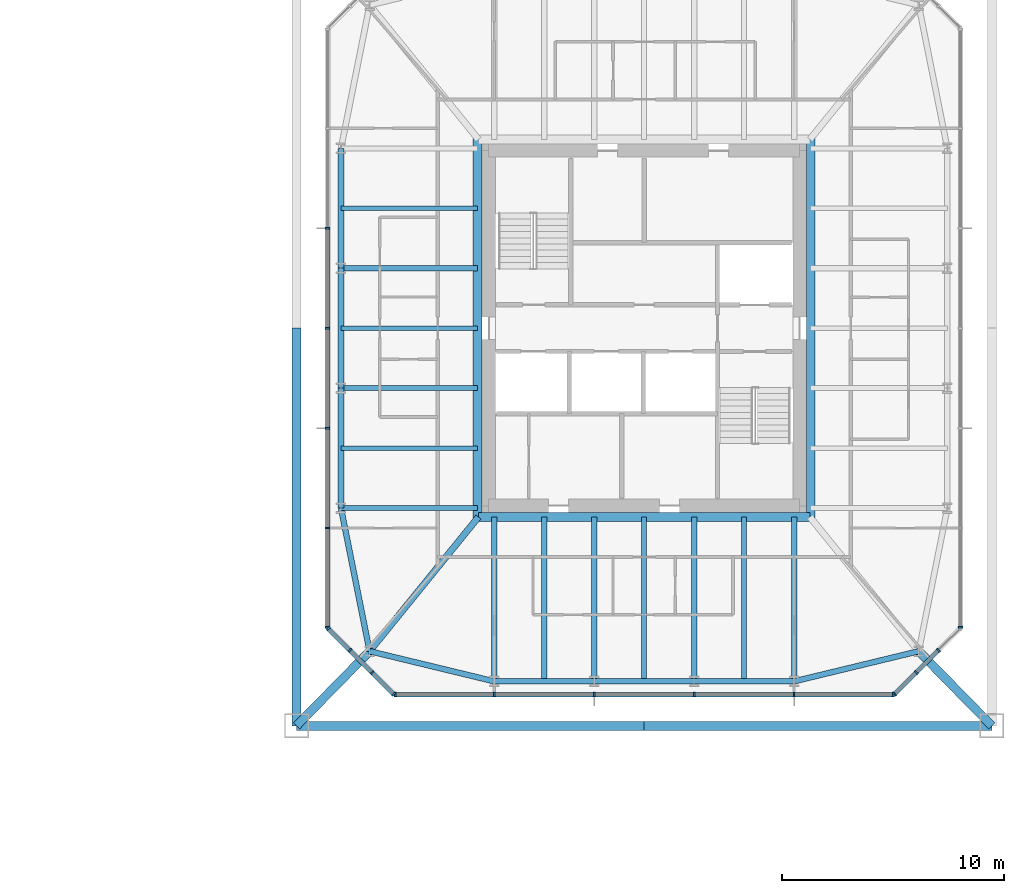
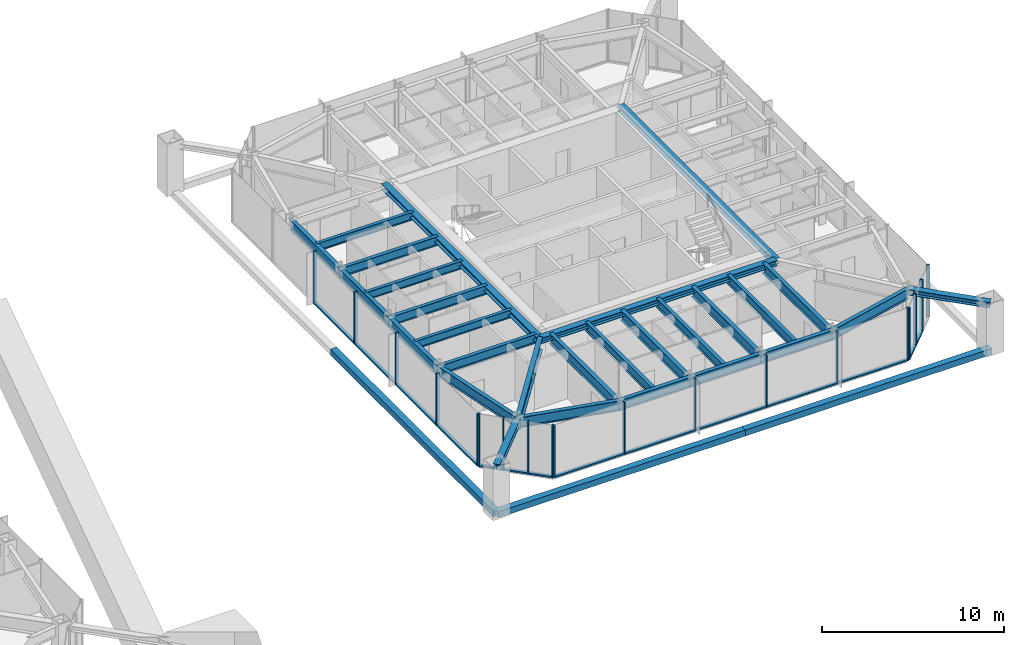
# One storey, part 9 of 26: 38 members, 26 beams, 5 elements without a shape of their own.
"""IFC4 building model written with IfcOpenShell, lengths in metres."""

from ifc_helpers import new_model, si_unit, direction, frame, origin, origin_2d, place, context, subcontext, project, spatial, rectangle, hollow_rectangle, i_section, extrude, material, material_profile, profile_set, type_object, element, aggregate, save


model = new_model("IFC4")

# Units and contexts
model_context = context("Model", 3, precision=1e-05, world=origin(), true_north=direction((0.0, 1.0)))
body_context = subcontext(model_context, "Body", "Model", "MODEL_VIEW")
ifc_project = project(units=[si_unit("LENGTHUNIT", "METRE"), si_unit("AREAUNIT", "SQUARE_METRE"), si_unit("VOLUMEUNIT", "CUBIC_METRE"), si_unit("PLANEANGLEUNIT", "RADIAN"), si_unit("MASSUNIT", "GRAM", prefix="KILO")], contexts=[model_context])

# Site, building, storey
site_placement = place(None, origin())
site = spatial("IfcSite", under=ifc_project, at=site_placement, CompositionType="ELEMENT")
building_placement = place(site_placement, origin())
building = spatial("IfcBuilding", under=site, at=building_placement, Name="Iwan Alto Co-Living Towers", CompositionType="ELEMENT")
storey_placement = place(building_placement, frame((0.0, 0.0, 115.5)))
storey = spatial("IfcBuildingStorey", under=building, at=storey_placement, Name="L31", CompositionType="ELEMENT", Elevation=115.5)

# Curtain wall, members
ifc_material_1 = material(Name="Bronze aluminium unitised frame", Category="aluminium")
curtain_wall_type_1 = type_object("IfcCurtainWallType", Name="CURTAIN WALL CW-C", PredefinedType="NOTDEFINED", material=ifc_material_1)
curtain_wall_1_placement = place(storey_placement, origin())
curtain_wall_1 = element("IfcCurtainWall", 1, at=curtain_wall_1_placement, inside=storey, type_object=curtain_wall_type_1, Name="T2 curtain wall S L31", PredefinedType="NOTDEFINED")
ifc_material_2 = material(Name="Aluminium 6063-T6 bronze anodised", Category="aluminium")
ifc_material_profile_1 = material_profile(ifc_material_2, rectangle(XDim=0.199951171875, YDim=0.080078125, at=origin_2d()), Name="AL 80X200")
ifc_profile_set_1 = profile_set([ifc_material_profile_1], Name="Aluminium 6063-T6 bronze anodised")
member_type_1 = type_object("IfcMemberType", Name="CW-C MULLION 80X200", PredefinedType="MULLION", material=ifc_profile_set_1)
member_1_placement = place(storey_placement, frame((51.7900390625, -16.5, 0.0), z_axis=(0.0, 0.0, 1.0), x_axis=(0.0, 1.0, 0.0)))
member_1 = element("IfcMember", 2, at=member_1_placement, type_object=member_type_1, Name="CW-C mullion 1", PredefinedType="MULLION", context=body_context, shape_type="SweptSolid", body=[
    extrude(rectangle(XDim=0.199951171875, YDim=0.080078125, at=origin_2d()), origin(), (0.0, 0.0, 1.0), 3.5),
])
member_2_placement = place(storey_placement, frame((56.25, -16.5, 0.0), z_axis=(0.0, 0.0, 1.0), x_axis=(0.0, 1.0, 0.0)))
member_2 = element("IfcMember", 3, at=member_2_placement, type_object=member_type_1, Name="CW-C mullion 2", PredefinedType="MULLION", context=body_context, shape_type="SweptSolid", body=[
    extrude(rectangle(XDim=0.199951171875, YDim=0.080078125, at=origin_2d()), origin(), (0.0, 0.0, 1.0), 3.5),
])
member_3_placement = place(storey_placement, frame((60.75, -16.5, 0.0), z_axis=(0.0, 0.0, 1.0), x_axis=(0.0, 1.0, 0.0)))
member_3 = element("IfcMember", 4, at=member_3_placement, type_object=member_type_1, Name="CW-C mullion 3", PredefinedType="MULLION", context=body_context, shape_type="SweptSolid", body=[
    extrude(rectangle(XDim=0.199951171875, YDim=0.080078125, at=origin_2d()), origin(), (0.0, 0.0, 1.0), 3.5),
])
member_4_placement = place(storey_placement, frame((65.25, -16.5, 0.0), z_axis=(0.0, 0.0, 1.0), x_axis=(0.0, 1.0, 0.0)))
member_4 = element("IfcMember", 5, at=member_4_placement, type_object=member_type_1, Name="CW-C mullion 4", PredefinedType="MULLION", context=body_context, shape_type="SweptSolid", body=[
    extrude(rectangle(XDim=0.199951171875, YDim=0.080078125, at=origin_2d()), origin(), (0.0, 0.0, 1.0), 3.5),
])
member_5_placement = place(storey_placement, frame((69.75, -16.5, 0.0), z_axis=(0.0, 0.0, 1.0), x_axis=(0.0, 1.0, 0.0)))
member_5 = element("IfcMember", 6, at=member_5_placement, type_object=member_type_1, Name="CW-C mullion 5", PredefinedType="MULLION", context=body_context, shape_type="SweptSolid", body=[
    extrude(rectangle(XDim=0.199951171875, YDim=0.080078125, at=origin_2d()), origin(), (0.0, 0.0, 1.0), 3.5),
])
member_6_placement = place(storey_placement, frame((74.2099609375, -16.5, 0.0), z_axis=(0.0, 0.0, 1.0), x_axis=(0.0, 1.0, 0.0)))
member_6 = element("IfcMember", 7, at=member_6_placement, type_object=member_type_1, Name="CW-C mullion 6", PredefinedType="MULLION", context=body_context, shape_type="SweptSolid", body=[
    extrude(rectangle(XDim=0.199951171875, YDim=0.080078125, at=origin_2d()), origin(), (0.0, 0.0, 1.0), 3.5),
])

# Curtain wall, member
curtain_wall_2_placement = place(storey_placement, origin())
curtain_wall_2 = element("IfcCurtainWall", 8, at=curtain_wall_2_placement, inside=storey, type_object=curtain_wall_type_1, Name="T2 curtain wall E L31", PredefinedType="NOTDEFINED")
member_7_placement = place(storey_placement, frame((77.25, -13.4599609375, 0.0), z_axis=(0.0, 0.0, 1.0), x_axis=(-1.0, 0.0, 0.0)))
member_7 = element("IfcMember", 9, at=member_7_placement, type_object=member_type_1, Name="CW-C mullion 1", PredefinedType="MULLION", context=body_context, shape_type="SweptSolid", body=[
    extrude(rectangle(XDim=0.199951171875, YDim=0.080078125, at=origin_2d()), origin(), (0.0, 0.0, 1.0), 3.5),
])
aggregate(curtain_wall_2, [member_7])

# Curtain wall, members
curtain_wall_3_placement = place(storey_placement, origin())
curtain_wall_3 = element("IfcCurtainWall", 10, at=curtain_wall_3_placement, inside=storey, type_object=curtain_wall_type_1, Name="T2 curtain wall W L31", PredefinedType="NOTDEFINED")
member_8_placement = place(storey_placement, frame((48.75, 4.5, 0.0), z_axis=(0.0, 0.0, 1.0), x_axis=(1.0, 0.0, 0.0)))
member_8 = element("IfcMember", 11, at=member_8_placement, type_object=member_type_1, Name="CW-C mullion 3", PredefinedType="MULLION", context=body_context, shape_type="SweptSolid", body=[
    extrude(rectangle(XDim=0.199951171875, YDim=0.080078125, at=origin_2d()), origin(), (0.0, 0.0, 1.0), 3.5),
])
member_9_placement = place(storey_placement, frame((48.75, 0.0, 0.0), z_axis=(0.0, 0.0, 1.0), x_axis=(1.0, 0.0, 0.0)))
member_9 = element("IfcMember", 12, at=member_9_placement, type_object=member_type_1, Name="CW-C mullion 4", PredefinedType="MULLION", context=body_context, shape_type="SweptSolid", body=[
    extrude(rectangle(XDim=0.199951171875, YDim=0.080078125, at=origin_2d()), origin(), (0.0, 0.0, 1.0), 3.5),
])
member_10_placement = place(storey_placement, frame((48.75, -4.5, 0.0), z_axis=(0.0, 0.0, 1.0), x_axis=(1.0, 0.0, 0.0)))
member_10 = element("IfcMember", 13, at=member_10_placement, type_object=member_type_1, Name="CW-C mullion 5", PredefinedType="MULLION", context=body_context, shape_type="SweptSolid", body=[
    extrude(rectangle(XDim=0.199951171875, YDim=0.080078125, at=origin_2d()), origin(), (0.0, 0.0, 1.0), 3.5),
])
member_11_placement = place(storey_placement, frame((48.75, -9.0, 0.0), z_axis=(0.0, 0.0, 1.0), x_axis=(1.0, 0.0, 0.0)))
member_11 = element("IfcMember", 14, at=member_11_placement, type_object=member_type_1, Name="CW-C mullion 6", PredefinedType="MULLION", context=body_context, shape_type="SweptSolid", body=[
    extrude(rectangle(XDim=0.199951171875, YDim=0.080078125, at=origin_2d()), origin(), (0.0, 0.0, 1.0), 3.5),
])
member_12_placement = place(storey_placement, frame((48.75, -13.4599609375, 0.0), z_axis=(0.0, 0.0, 1.0), x_axis=(1.0, 0.0, 0.0)))
member_12 = element("IfcMember", 15, at=member_12_placement, type_object=member_type_1, Name="CW-C mullion 7", PredefinedType="MULLION", context=body_context, shape_type="SweptSolid", body=[
    extrude(rectangle(XDim=0.199951171875, YDim=0.080078125, at=origin_2d()), origin(), (0.0, 0.0, 1.0), 3.5),
])

# Member
ifc_material_3 = material(Name="Aluminium 6063-T6 bronze anodised", Category="aluminium")
ifc_material_profile_2 = material_profile(ifc_material_3, rectangle(XDim=0.199951171875, YDim=0.10009765625, at=origin_2d()), Name="AL 200X100")
ifc_profile_set_2 = profile_set([ifc_material_profile_2], Name="Aluminium 6063-T6 bronze anodised")
member_type_2 = type_object("IfcMemberType", Name="CW-C TRANSOM 200X100", PredefinedType="USERDEFINED", material=ifc_profile_set_2)
member_13_placement = place(storey_placement, frame((51.830078125, -16.5, 0.050048828125), z_axis=(1.0, 0.0, 0.0), x_axis=(0.0, 1.0, 0.0)))
member_13 = element("IfcMember", 16, at=member_13_placement, type_object=member_type_2, Name="CW-C transom 1.1", ObjectType="TRANSOM", PredefinedType="USERDEFINED", context=body_context, shape_type="SweptSolid", body=[
    extrude(rectangle(XDim=0.199951171875, YDim=0.10009765625, at=origin_2d()), origin(), (0.0, 0.0, 1.0), 4.3798828125),
])

member_14_placement = place(storey_placement, frame((56.2900390625, -16.5, 0.050048828125), z_axis=(1.0, 0.0, 0.0), x_axis=(0.0, 1.0, 0.0)))
member_14 = element("IfcMember", 17, at=member_14_placement, type_object=member_type_2, Name="CW-C transom 2.1", ObjectType="TRANSOM", PredefinedType="USERDEFINED", context=body_context, shape_type="SweptSolid", body=[
    extrude(rectangle(XDim=0.199951171875, YDim=0.10009765625, at=origin_2d()), origin(), (0.0, 0.0, 1.0), 4.419921875),
])

member_15_placement = place(storey_placement, frame((60.7900390625, -16.5, 0.050048828125), z_axis=(1.0, 0.0, 0.0), x_axis=(0.0, 1.0, 0.0)))
member_15 = element("IfcMember", 18, at=member_15_placement, type_object=member_type_2, Name="CW-C transom 3.1", ObjectType="TRANSOM", PredefinedType="USERDEFINED", context=body_context, shape_type="SweptSolid", body=[
    extrude(rectangle(XDim=0.199951171875, YDim=0.10009765625, at=origin_2d()), origin(), (0.0, 0.0, 1.0), 4.419921875),
])

member_16_placement = place(storey_placement, frame((65.2900390625, -16.5, 0.050048828125), z_axis=(1.0, 0.0, 0.0), x_axis=(0.0, 1.0, 0.0)))
member_16 = element("IfcMember", 19, at=member_16_placement, type_object=member_type_2, Name="CW-C transom 4.1", ObjectType="TRANSOM", PredefinedType="USERDEFINED", context=body_context, shape_type="SweptSolid", body=[
    extrude(rectangle(XDim=0.199951171875, YDim=0.10009765625, at=origin_2d()), origin(), (0.0, 0.0, 1.0), 4.419921875),
])

member_17_placement = place(storey_placement, frame((69.7900390625, -16.5, 0.050048828125), z_axis=(1.0, 0.0, 0.0), x_axis=(0.0, 1.0, 0.0)))
member_17 = element("IfcMember", 20, at=member_17_placement, type_object=member_type_2, Name="CW-C transom 5.1", ObjectType="TRANSOM", PredefinedType="USERDEFINED", context=body_context, shape_type="SweptSolid", body=[
    extrude(rectangle(XDim=0.199951171875, YDim=0.10009765625, at=origin_2d()), origin(), (0.0, 0.0, 1.0), 4.3798828125),
])

aggregate(curtain_wall_1, [member_1, member_2, member_3, member_4, member_5, member_6, member_13, member_14, member_15, member_16, member_17])

member_18_placement = place(storey_placement, frame((48.75, 4.4599609375, 0.050048828125), z_axis=(0.0, -1.0, 0.0), x_axis=(1.0, 0.0, 0.0)))
member_18 = element("IfcMember", 21, at=member_18_placement, type_object=member_type_2, Name="CW-C transom 3.1", ObjectType="TRANSOM", PredefinedType="USERDEFINED", context=body_context, shape_type="SweptSolid", body=[
    extrude(rectangle(XDim=0.199951171875, YDim=0.10009765625, at=origin_2d()), origin(), (0.0, 0.0, 1.0), 4.419921875),
])

member_19_placement = place(storey_placement, frame((48.75, -0.0400390625, 0.050048828125), z_axis=(0.0, -1.0, 0.0), x_axis=(1.0, 0.0, 0.0)))
member_19 = element("IfcMember", 22, at=member_19_placement, type_object=member_type_2, Name="CW-C transom 4.1", ObjectType="TRANSOM", PredefinedType="USERDEFINED", context=body_context, shape_type="SweptSolid", body=[
    extrude(rectangle(XDim=0.199951171875, YDim=0.10009765625, at=origin_2d()), origin(), (0.0, 0.0, 1.0), 4.419921875),
])

member_20_placement = place(storey_placement, frame((48.75, -4.5400390625, 0.050048828125), z_axis=(0.0, -1.0, 0.0), x_axis=(1.0, 0.0, 0.0)))
member_20 = element("IfcMember", 23, at=member_20_placement, type_object=member_type_2, Name="CW-C transom 5.1", ObjectType="TRANSOM", PredefinedType="USERDEFINED", context=body_context, shape_type="SweptSolid", body=[
    extrude(rectangle(XDim=0.199951171875, YDim=0.10009765625, at=origin_2d()), origin(), (0.0, 0.0, 1.0), 4.419921875),
])

member_21_placement = place(storey_placement, frame((48.75, -9.0400390625, 0.050048828125), z_axis=(0.0, -1.0, 0.0), x_axis=(1.0, 0.0, 0.0)))
member_21 = element("IfcMember", 24, at=member_21_placement, type_object=member_type_2, Name="CW-C transom 6.1", ObjectType="TRANSOM", PredefinedType="USERDEFINED", context=body_context, shape_type="SweptSolid", body=[
    extrude(rectangle(XDim=0.199951171875, YDim=0.10009765625, at=origin_2d()), origin(), (0.0, 0.0, 1.0), 4.3798828125),
])

aggregate(curtain_wall_3, [member_8, member_9, member_10, member_11, member_12, member_18, member_19, member_20, member_21])

# Curtain wall, members
ifc_material_4 = material(Name="Bronze aluminium unitised frame", Category="aluminium")
curtain_wall_type_2 = type_object("IfcCurtainWallType", Name="CURTAIN WALL CW-D", PredefinedType="NOTDEFINED", material=ifc_material_4)
curtain_wall_4_placement = place(storey_placement, origin())
curtain_wall_4 = element("IfcCurtainWall", 25, at=curtain_wall_4_placement, inside=storey, type_object=curtain_wall_type_2, Name="T2 chamfer curtain wall SE L31", PredefinedType="NOTDEFINED")
ifc_material_5 = material(Name="Aluminium 6063-T6 bronze anodised", Category="aluminium")
ifc_material_profile_3 = material_profile(ifc_material_5, rectangle(XDim=0.199951171875, YDim=0.080078125, at=origin_2d()), Name="AL 80X200")
ifc_profile_set_3 = profile_set([ifc_material_profile_3], Name="Aluminium 6063-T6 bronze anodised")
member_type_3 = type_object("IfcMemberType", Name="CW-D MULLION 80X200", PredefinedType="MULLION", material=ifc_profile_set_3)
member_22_placement = place(storey_placement, frame((74.2783203125, -16.4716796875, 0.0), z_axis=(0.0, 0.0, 1.0), x_axis=(-0.707106781187, 0.707106781187, 0.0)))
member_22 = element("IfcMember", 26, at=member_22_placement, type_object=member_type_3, Name="CW-D mullion 1", PredefinedType="MULLION", context=body_context, shape_type="SweptSolid", body=[
    extrude(rectangle(XDim=0.199951171875, YDim=0.080078125, at=origin_2d()), origin(), (0.0, 0.0, 1.0), 3.5),
])
member_23_placement = place(storey_placement, frame((75.25, -15.5, 0.0), z_axis=(0.0, 0.0, 1.0), x_axis=(-0.707106781187, 0.707106781187, 0.0)))
member_23 = element("IfcMember", 27, at=member_23_placement, type_object=member_type_3, Name="CW-D mullion 2", PredefinedType="MULLION", context=body_context, shape_type="SweptSolid", body=[
    extrude(rectangle(XDim=0.199951171875, YDim=0.080078125, at=origin_2d()), origin(), (0.0, 0.0, 1.0), 3.5),
])
member_24_placement = place(storey_placement, frame((76.25, -14.5, 0.0), z_axis=(0.0, 0.0, 1.0), x_axis=(-0.707106781187, 0.707106781187, 0.0)))
member_24 = element("IfcMember", 28, at=member_24_placement, type_object=member_type_3, Name="CW-D mullion 3", PredefinedType="MULLION", context=body_context, shape_type="SweptSolid", body=[
    extrude(rectangle(XDim=0.199951171875, YDim=0.080078125, at=origin_2d()), origin(), (0.0, 0.0, 1.0), 3.5),
])

curtain_wall_5_placement = place(storey_placement, origin())
curtain_wall_5 = element("IfcCurtainWall", 29, at=curtain_wall_5_placement, inside=storey, type_object=curtain_wall_type_2, Name="T2 chamfer curtain wall SW L31", PredefinedType="NOTDEFINED")
member_25_placement = place(storey_placement, frame((48.7783203125, -13.5283203125, 0.0), z_axis=(0.0, 0.0, 1.0), x_axis=(0.707106781187, 0.707106781187, 0.0)))
member_25 = element("IfcMember", 30, at=member_25_placement, type_object=member_type_3, Name="CW-D mullion 1", PredefinedType="MULLION", context=body_context, shape_type="SweptSolid", body=[
    extrude(rectangle(XDim=0.199951171875, YDim=0.080078125, at=origin_2d()), origin(), (0.0, 0.0, 1.0), 3.5),
])
member_26_placement = place(storey_placement, frame((49.75, -14.5, 0.0), z_axis=(0.0, 0.0, 1.0), x_axis=(0.707106781187, 0.707106781187, 0.0)))
member_26 = element("IfcMember", 31, at=member_26_placement, type_object=member_type_3, Name="CW-D mullion 2", PredefinedType="MULLION", context=body_context, shape_type="SweptSolid", body=[
    extrude(rectangle(XDim=0.199951171875, YDim=0.080078125, at=origin_2d()), origin(), (0.0, 0.0, 1.0), 3.5),
])
member_27_placement = place(storey_placement, frame((50.75, -15.5, 0.0), z_axis=(0.0, 0.0, 1.0), x_axis=(0.707106781187, 0.707106781187, 0.0)))
member_27 = element("IfcMember", 32, at=member_27_placement, type_object=member_type_3, Name="CW-D mullion 3", PredefinedType="MULLION", context=body_context, shape_type="SweptSolid", body=[
    extrude(rectangle(XDim=0.199951171875, YDim=0.080078125, at=origin_2d()), origin(), (0.0, 0.0, 1.0), 3.5),
])
member_28_placement = place(storey_placement, frame((51.7216796875, -16.4716796875, 0.0), z_axis=(0.0, 0.0, 1.0), x_axis=(0.707106781187, 0.707106781187, 0.0)))
member_28 = element("IfcMember", 33, at=member_28_placement, type_object=member_type_3, Name="CW-D mullion 4", PredefinedType="MULLION", context=body_context, shape_type="SweptSolid", body=[
    extrude(rectangle(XDim=0.199951171875, YDim=0.080078125, at=origin_2d()), origin(), (0.0, 0.0, 1.0), 3.5),
])

# Member
ifc_material_6 = material(Name="Aluminium 6063-T6 bronze anodised", Category="aluminium")
ifc_material_profile_4 = material_profile(ifc_material_6, rectangle(XDim=0.199951171875, YDim=0.10009765625, at=origin_2d()), Name="AL 200X100")
ifc_profile_set_4 = profile_set([ifc_material_profile_4], Name="Aluminium 6063-T6 bronze anodised")
member_type_4 = type_object("IfcMemberType", Name="CW-D TRANSOM 200X100", PredefinedType="USERDEFINED", material=ifc_profile_set_4)
member_29_placement = place(storey_placement, frame((74.306640625, -16.443359375, 0.050048828125), z_axis=(0.707106781187, 0.707106781187, 0.0), x_axis=(-0.707106781187, 0.707106781187, 0.0)))
member_29 = element("IfcMember", 34, at=member_29_placement, type_object=member_type_4, Name="CW-D transom 1.1", ObjectType="TRANSOM", PredefinedType="USERDEFINED", context=body_context, shape_type="SweptSolid", body=[
    extrude(rectangle(XDim=0.199951171875, YDim=0.10009765625, at=origin_2d()), origin(), (0.0, 0.0, 1.0), 1.2939453125),
])

member_30_placement = place(storey_placement, frame((75.2783203125, -15.4716796875, 0.050048828125), z_axis=(0.707106781187, 0.707106781187, 0.0), x_axis=(-0.707106781187, 0.707106781187, 0.0)))
member_30 = element("IfcMember", 35, at=member_30_placement, type_object=member_type_4, Name="CW-D transom 2.1", ObjectType="TRANSOM", PredefinedType="USERDEFINED", context=body_context, shape_type="SweptSolid", body=[
    extrude(rectangle(XDim=0.199951171875, YDim=0.10009765625, at=origin_2d()), origin(), (0.0, 0.0, 1.0), 1.334228515625),
])

aggregate(curtain_wall_4, [member_22, member_23, member_24, member_29, member_30])

member_31_placement = place(storey_placement, frame((48.806640625, -13.556640625, 0.050048828125), z_axis=(0.707106781187, -0.707106781187, 0.0), x_axis=(0.707106781187, 0.707106781187, 0.0)))
member_31 = element("IfcMember", 36, at=member_31_placement, type_object=member_type_4, Name="CW-D transom 1.1", ObjectType="TRANSOM", PredefinedType="USERDEFINED", context=body_context, shape_type="SweptSolid", body=[
    extrude(rectangle(XDim=0.199951171875, YDim=0.10009765625, at=origin_2d()), origin(), (0.0, 0.0, 1.0), 1.2939453125),
])

member_32_placement = place(storey_placement, frame((49.7783203125, -14.5283203125, 0.050048828125), z_axis=(0.707106781187, -0.707106781187, 0.0), x_axis=(0.707106781187, 0.707106781187, 0.0)))
member_32 = element("IfcMember", 37, at=member_32_placement, type_object=member_type_4, Name="CW-D transom 2.1", ObjectType="TRANSOM", PredefinedType="USERDEFINED", context=body_context, shape_type="SweptSolid", body=[
    extrude(rectangle(XDim=0.199951171875, YDim=0.10009765625, at=origin_2d()), origin(), (0.0, 0.0, 1.0), 1.334228515625),
])

member_33_placement = place(storey_placement, frame((50.7783203125, -15.5283203125, 0.050048828125), z_axis=(0.707106781187, -0.707106781187, 0.0), x_axis=(0.707106781187, 0.707106781187, 0.0)))
member_33 = element("IfcMember", 38, at=member_33_placement, type_object=member_type_4, Name="CW-D transom 3.1", ObjectType="TRANSOM", PredefinedType="USERDEFINED", context=body_context, shape_type="SweptSolid", body=[
    extrude(rectangle(XDim=0.199951171875, YDim=0.10009765625, at=origin_2d()), origin(), (0.0, 0.0, 1.0), 1.2939453125),
])

aggregate(curtain_wall_5, [member_25, member_26, member_27, member_28, member_31, member_32, member_33])

# Beams
ifc_material_7 = material(Name="Steel ASTM A992 Gr 50", Category="steel")
ifc_material_profile_5 = material_profile(ifc_material_7, i_section(OverallWidth=0.398681640625, OverallDepth=0.385986328125, WebThickness=0.02099609375, FlangeThickness=0.033203125, at=origin_2d()), Name="W14X176")
ifc_profile_set_5 = profile_set([ifc_material_profile_5], Name="Steel ASTM A992 Gr 50")
beam_type_1 = type_object("IfcBeamType", Name="T2 CORE LEDGER BEAM W14X176", PredefinedType="BEAM", material=ifc_profile_set_5)
beam_1_placement = place(storey_placement, frame((55.538330078125, -8.49951171875, 3.076904296875), z_axis=(1.0, 0.0, 0.0), x_axis=(0.0, 1.0, 0.0)))
element("IfcBeam", 39, at=beam_1_placement, inside=storey, type_object=beam_type_1, Name="T2 core ledger beam S L32", PredefinedType="BEAM", context=body_context, shape_type="SweptSolid", body=[
    extrude(i_section(OverallWidth=0.398681640625, OverallDepth=0.385986328125, WebThickness=0.02099609375, FlangeThickness=0.033203125, at=origin_2d()), origin(), (0.0, 0.0, 1.0), 14.92333984375),
])
for number, where, z_axis, x_axis, name in (
    (40, (70.49951171875, -8.5458984375, 3.076904296875), (0.0, 1.0, 0.0), (-1.0, 0.0, 0.0), "T2 core ledger beam E L32"),
    (41, (55.50048828125, 8.5458984375, 3.076904296875), (0.0, -1.0, 0.0), (1.0, 0.0, 0.0), "T2 core ledger beam W L32"),
):
    element("IfcBeam", number, at=place(storey_placement, frame(where, z_axis=z_axis, x_axis=x_axis)), inside=storey, type_object=beam_type_1, Name=name, PredefinedType="BEAM", context=body_context, shape_type="SweptSolid", body=[
        extrude(i_section(OverallWidth=0.398681640625, OverallDepth=0.385986328125, WebThickness=0.02099609375, FlangeThickness=0.033203125, at=origin_2d()), origin(), (0.0, 0.0, 1.0), 17.091796875),
    ])
ifc_material_8 = material(Name="Steel ASTM A992 Gr 50", Category="steel")
ifc_material_profile_6 = material_profile(ifc_material_8, i_section(OverallWidth=0.2919921875, OverallDepth=0.8408203125, WebThickness=0.0146484375, FlangeThickness=0.021728515625, at=origin_2d()), Name="W33X130")
ifc_profile_set_6 = profile_set([ifc_material_profile_6], Name="Steel ASTM A992 Gr 50")
beam_type_2 = type_object("IfcBeamType", Name="T2 CORNER GIRDER W33X130", PredefinedType="BEAM", material=ifc_profile_set_6)
beam_2_placement = place(storey_placement, frame((50.638671875, -14.542724609375, 2.849609375), z_axis=(0.629783024592, 0.776771100091, 0.0), x_axis=(-0.776771100091, 0.629783024592, 0.0)))
element("IfcBeam", 42, at=beam_2_placement, inside=storey, type_object=beam_type_2, Name="T2 corner girder CSW L32", PredefinedType="BEAM", context=body_context, shape_type="SweptSolid", body=[
    extrude(i_section(OverallWidth=0.2919921875, OverallDepth=0.8408203125, WebThickness=0.0146484375, FlangeThickness=0.021728515625, at=origin_2d()), origin(), (0.0, 0.0, 1.0), 7.780029296875),
])
ifc_material_9 = material(Name="Steel ASTM A992 Gr 50", Category="steel")
ifc_material_profile_7 = material_profile(ifc_material_9, i_section(OverallWidth=0.25390625, OverallDepth=0.683349609375, WebThickness=0.012451171875, FlangeThickness=0.018798828125, at=origin_2d()), Name="W27X94")
ifc_profile_set_7 = profile_set([ifc_material_profile_7], Name="Steel ASTM A992 Gr 50")
beam_type_3 = type_object("IfcBeamType", Name="T2 EDGE BEAM W27X94", PredefinedType="BEAM", material=ifc_profile_set_7)
beam_3_placement = place(storey_placement, frame((50.638671875, -14.542724609375, 2.928466796875), z_axis=(0.971974673138, -0.235085590323, 0.0), x_axis=(0.235085590323, 0.971974673138, 0.0)))
element("IfcBeam", 43, at=beam_3_placement, inside=storey, type_object=beam_type_3, Name="T2 edge beam CSW L32", PredefinedType="BEAM", context=body_context, shape_type="SweptSolid", body=[
    extrude(i_section(OverallWidth=0.25390625, OverallDepth=0.683349609375, WebThickness=0.012451171875, FlangeThickness=0.018798828125, at=origin_2d()), origin(), (0.0, 0.0, 1.0), 5.773193359375),
])
for number, where, z_axis, x_axis, name in (
    (44, (56.25, -15.89990234375, 2.928466796875), (1.0, 0.0, 0.0), (0.0, 1.0, 0.0), "T2 edge beam S1 L32"),
    (45, (60.75, -15.89990234375, 2.928466796875), (1.0, 0.0, 0.0), (0.0, 1.0, 0.0), "T2 edge beam S2 L32"),
    (46, (65.25, -15.89990234375, 2.928466796875), (1.0, 0.0, 0.0), (0.0, 1.0, 0.0), "T2 edge beam S3 L32"),
):
    element("IfcBeam", number, at=place(storey_placement, frame(where, z_axis=z_axis, x_axis=x_axis)), inside=storey, type_object=beam_type_3, Name=name, PredefinedType="BEAM", context=body_context, shape_type="SweptSolid", body=[
        extrude(i_section(OverallWidth=0.25390625, OverallDepth=0.683349609375, WebThickness=0.012451171875, FlangeThickness=0.018798828125, at=origin_2d()), origin(), (0.0, 0.0, 1.0), 4.5),
    ])
beam_4_placement = place(storey_placement, frame((69.75, -15.89990234375, 2.928466796875), z_axis=(0.971974673138, 0.235085590323, 0.0), x_axis=(-0.235085590323, 0.971974673138, 0.0)))
element("IfcBeam", 47, at=beam_4_placement, inside=storey, type_object=beam_type_3, Name="T2 edge beam S4 L32", PredefinedType="BEAM", context=body_context, shape_type="SweptSolid", body=[
    extrude(i_section(OverallWidth=0.25390625, OverallDepth=0.683349609375, WebThickness=0.012451171875, FlangeThickness=0.018798828125, at=origin_2d()), origin(), (0.0, 0.0, 1.0), 5.773193359375),
])
beam_5_placement = place(storey_placement, frame((49.35009765625, 8.10009765625, 2.928466796875), z_axis=(0.0, -1.0, 0.0), x_axis=(1.0, 0.0, 0.0)))
element("IfcBeam", 48, at=beam_5_placement, inside=storey, type_object=beam_type_3, Name="T2 edge beam W1 L32", PredefinedType="BEAM", context=body_context, shape_type="SweptSolid", body=[
    extrude(i_section(OverallWidth=0.25390625, OverallDepth=0.683349609375, WebThickness=0.012451171875, FlangeThickness=0.018798828125, at=origin_2d()), origin(), (0.0, 0.0, 1.0), 5.400146484375),
])
beam_6_placement = place(storey_placement, frame((49.35009765625, 2.699951171875, 2.928466796875), z_axis=(0.0, -1.0, 0.0), x_axis=(1.0, 0.0, 0.0)))
element("IfcBeam", 49, at=beam_6_placement, inside=storey, type_object=beam_type_3, Name="T2 edge beam W2 L32", PredefinedType="BEAM", context=body_context, shape_type="SweptSolid", body=[
    extrude(i_section(OverallWidth=0.25390625, OverallDepth=0.683349609375, WebThickness=0.012451171875, FlangeThickness=0.018798828125, at=origin_2d()), origin(), (0.0, 0.0, 1.0), 5.39990234375),
])
beam_7_placement = place(storey_placement, frame((49.35009765625, -2.699951171875, 2.928466796875), z_axis=(0.0, -1.0, 0.0), x_axis=(1.0, 0.0, 0.0)))
element("IfcBeam", 50, at=beam_7_placement, inside=storey, type_object=beam_type_3, Name="T2 edge beam W3 L32", PredefinedType="BEAM", context=body_context, shape_type="SweptSolid", body=[
    extrude(i_section(OverallWidth=0.25390625, OverallDepth=0.683349609375, WebThickness=0.012451171875, FlangeThickness=0.018798828125, at=origin_2d()), origin(), (0.0, 0.0, 1.0), 5.400146484375),
])
beam_8_placement = place(storey_placement, frame((49.35009765625, -8.10009765625, 2.928466796875), z_axis=(0.196123281025, -0.980579246487, 0.0), x_axis=(0.980579246487, 0.196123281025, 0.0)))
element("IfcBeam", 51, at=beam_8_placement, inside=storey, type_object=beam_type_3, Name="T2 edge beam W4 L32", PredefinedType="BEAM", context=body_context, shape_type="SweptSolid", body=[
    extrude(i_section(OverallWidth=0.25390625, OverallDepth=0.683349609375, WebThickness=0.012451171875, FlangeThickness=0.018798828125, at=origin_2d()), origin(), (0.0, 0.0, 1.0), 6.5703125),
])

# Members
ifc_material_10 = material(Name="Steel ASTM A992 Gr 50", Category="steel")
ifc_material_profile_8 = material_profile(ifc_material_10, i_section(OverallWidth=0.393798828125, OverallDepth=0.3759765625, WebThickness=0.017333984375, FlangeThickness=0.027587890625, at=origin_2d()), Name="W14X145")
ifc_profile_set_8 = profile_set([ifc_material_profile_8], Name="Steel ASTM A992 Gr 50")
member_type_5 = type_object("IfcMemberType", Name="T2 MEGA COLUMN FLOOR TIE W14X145", PredefinedType="STRUT", material=ifc_profile_set_8)
for number, where, z_axis, x_axis, name in (
    (52, (47.35009765625, -17.89990234375, 3.08203125), (0.699770096147, 0.714368121166, 0.0), (-0.714368121166, 0.699770096147, 0.0), "T2 mega column floor tie SW L32"),
    (53, (78.64990234375, -17.89990234375, 3.08203125), (-0.699770096147, 0.714368121166, 0.0), (-0.714368121166, -0.699770096147, 0.0), "T2 mega column floor tie SE L32"),
):
    element("IfcMember", number, at=place(storey_placement, frame(where, z_axis=z_axis, x_axis=x_axis)), inside=storey, type_object=member_type_5, Name=name, PredefinedType="STRUT", context=body_context, shape_type="SweptSolid", body=[
        extrude(i_section(OverallWidth=0.393798828125, OverallDepth=0.3759765625, WebThickness=0.017333984375, FlangeThickness=0.027587890625, at=origin_2d()), origin(), (0.0, 0.0, 1.0), 4.699462890625),
    ])
ifc_material_11 = material(Name="Steel ASTM A500 Gr C", Category="steel")
ifc_material_profile_9 = material_profile(ifc_material_11, hollow_rectangle(XDim=0.406494140625, YDim=0.406494140625, WallThickness=0.0146484375, at=origin_2d()), Name="HSS16X16X5/8")
ifc_profile_set_9 = profile_set([ifc_material_profile_9], Name="Steel ASTM A500 Gr C")
member_type_6 = type_object("IfcMemberType", Name="T2 MEGA TIE HSS16X16X5/8", PredefinedType="STRUT", material=ifc_profile_set_9)
for number, where, z_axis, x_axis, name in (
    (54, (47.35009765625, -17.89990234375, 0.0), (1.0, 0.0, 0.0), (0.0, 1.0, 0.0), "T2 mega tie Z2B S 1"),
    (55, (63.0, -17.89990234375, 0.0), (1.0, 0.0, 0.0), (0.0, 1.0, 0.0), "T2 mega tie Z2B S 2"),
):
    element("IfcMember", number, at=place(storey_placement, frame(where, z_axis=z_axis, x_axis=x_axis)), inside=storey, type_object=member_type_6, Name=name, PredefinedType="STRUT", context=body_context, shape_type="SweptSolid", body=[
        extrude(hollow_rectangle(XDim=0.406494140625, YDim=0.406494140625, WallThickness=0.0146484375, at=origin_2d()), origin(), (0.0, 0.0, 1.0), 15.64990234375),
    ])
member_34_placement = place(storey_placement, frame((47.35009765625, 0.0, 0.0), z_axis=(0.0, -1.0, 0.0), x_axis=(1.0, 0.0, 0.0)))
element("IfcMember", 56, at=member_34_placement, inside=storey, type_object=member_type_6, Name="T2 mega tie Z2B W 2", PredefinedType="STRUT", context=body_context, shape_type="SweptSolid", body=[
    extrude(hollow_rectangle(XDim=0.406494140625, YDim=0.406494140625, WallThickness=0.0146484375, at=origin_2d()), origin(), (0.0, 0.0, 1.0), 17.89990234375),
])

# Beams
ifc_material_12 = material(Name="Steel ASTM A992 Gr 50", Category="steel")
ifc_material_profile_10 = material_profile(ifc_material_12, i_section(OverallWidth=0.228271484375, OverallDepth=0.607177734375, WebThickness=0.01123046875, FlangeThickness=0.017333984375, at=origin_2d()), Name="W24X76")
ifc_profile_set_10 = profile_set([ifc_material_profile_10], Name="Steel ASTM A992 Gr 50")
beam_type_4 = type_object("IfcBeamType", Name="T2 RADIAL BEAM W24X76", PredefinedType="BEAM", material=ifc_profile_set_10)
for number, where, z_axis, x_axis, name in (
    (57, (49.35009765625, 2.699951171875, 2.966552734375), (1.0, 0.0, 0.0), (0.0, 1.0, 0.0), "T2 radial beam W2 L32"),
    (58, (49.35009765625, -2.699951171875, 2.966552734375), (1.0, 0.0, 0.0), (0.0, 1.0, 0.0), "T2 radial beam W3 L32"),
    (59, (49.35009765625, -8.10009765625, 2.966552734375), (1.0, 0.0, 0.0), (0.0, 1.0, 0.0), "T2 radial beam W4 L32"),
):
    element("IfcBeam", number, at=place(storey_placement, frame(where, z_axis=z_axis, x_axis=x_axis)), inside=storey, type_object=beam_type_4, Name=name, PredefinedType="BEAM", context=body_context, shape_type="SweptSolid", body=[
        extrude(i_section(OverallWidth=0.228271484375, OverallDepth=0.607177734375, WebThickness=0.01123046875, FlangeThickness=0.017333984375, at=origin_2d()), origin(), (0.0, 0.0, 1.0), 6.150390625),
    ])
ifc_material_13 = material(Name="Steel ASTM A992 Gr 50", Category="steel")
ifc_material_profile_11 = material_profile(ifc_material_13, i_section(OverallWidth=0.25390625, OverallDepth=0.683349609375, WebThickness=0.012451171875, FlangeThickness=0.018798828125, at=origin_2d()), Name="W27X94")
ifc_profile_set_11 = profile_set([ifc_material_profile_11], Name="Steel ASTM A992 Gr 50")
beam_type_5 = type_object("IfcBeamType", Name="T2 RADIAL BEAM W27X94", PredefinedType="BEAM", material=ifc_profile_set_11)
for number, where, z_axis, x_axis, name in (
    (60, (56.25, -15.89990234375, 2.928466796875), (0.0, 1.0, 0.0), (-1.0, 0.0, 0.0), "T2 radial beam S1 L32"),
    (61, (60.75, -15.89990234375, 2.928466796875), (0.0, 1.0, 0.0), (-1.0, 0.0, 0.0), "T2 radial beam S2 L32"),
    (62, (65.25, -15.89990234375, 2.928466796875), (0.0, 1.0, 0.0), (-1.0, 0.0, 0.0), "T2 radial beam S3 L32"),
    (63, (69.75, -15.89990234375, 2.928466796875), (0.0, 1.0, 0.0), (-1.0, 0.0, 0.0), "T2 radial beam S4 L32"),
):
    element("IfcBeam", number, at=place(storey_placement, frame(where, z_axis=z_axis, x_axis=x_axis)), inside=storey, type_object=beam_type_5, Name=name, PredefinedType="BEAM", context=body_context, shape_type="SweptSolid", body=[
        extrude(i_section(OverallWidth=0.25390625, OverallDepth=0.683349609375, WebThickness=0.012451171875, FlangeThickness=0.018798828125, at=origin_2d()), origin(), (0.0, 0.0, 1.0), 7.400390625),
    ])
ifc_material_14 = material(Name="Steel ASTM A992 Gr 50", Category="steel")
ifc_material_profile_12 = material_profile(ifc_material_14, i_section(OverallWidth=0.209228515625, OverallDepth=0.533447265625, WebThickness=0.01025390625, FlangeThickness=0.015625, at=origin_2d()), Name="W21X62")
ifc_profile_set_12 = profile_set([ifc_material_profile_12], Name="Steel ASTM A992 Gr 50")
beam_type_6 = type_object("IfcBeamType", Name="T2 SECONDARY BEAM W21X62", PredefinedType="JOIST", material=ifc_profile_set_12)
for number, where, z_axis, x_axis, name in (
    (64, (49.35009765625, 5.39990234375, 3.00341796875), (1.0, 0.0, 0.0), (0.0, 1.0, 0.0), "T2 secondary beam W1 L32"),
    (65, (49.35009765625, 0.0, 3.00341796875), (1.0, 0.0, 0.0), (0.0, 1.0, 0.0), "T2 secondary beam W2 L32"),
    (66, (49.35009765625, -5.39990234375, 3.00341796875), (1.0, 0.0, 0.0), (0.0, 1.0, 0.0), "T2 secondary beam W3 L32"),
):
    element("IfcBeam", number, at=place(storey_placement, frame(where, z_axis=z_axis, x_axis=x_axis)), inside=storey, type_object=beam_type_6, Name=name, PredefinedType="JOIST", context=body_context, shape_type="SweptSolid", body=[
        extrude(i_section(OverallWidth=0.209228515625, OverallDepth=0.533447265625, WebThickness=0.01025390625, FlangeThickness=0.015625, at=origin_2d()), origin(), (0.0, 0.0, 1.0), 6.150390625),
    ])
ifc_material_15 = material(Name="Steel ASTM A992 Gr 50", Category="steel")
ifc_material_profile_13 = material_profile(ifc_material_15, i_section(OverallWidth=0.228271484375, OverallDepth=0.607177734375, WebThickness=0.01123046875, FlangeThickness=0.017333984375, at=origin_2d()), Name="W24X76")
ifc_profile_set_13 = profile_set([ifc_material_profile_13], Name="Steel ASTM A992 Gr 50")
beam_type_7 = type_object("IfcBeamType", Name="T2 SECONDARY BEAM W24X76", PredefinedType="JOIST", material=ifc_profile_set_13)
for number, where, z_axis, x_axis, name in (
    (67, (58.5, -15.89990234375, 2.966552734375), (0.0, 1.0, 0.0), (-1.0, 0.0, 0.0), "T2 secondary beam S1 L32"),
    (68, (63.0, -15.89990234375, 2.966552734375), (0.0, 1.0, 0.0), (-1.0, 0.0, 0.0), "T2 secondary beam S2 L32"),
    (69, (67.5, -15.89990234375, 2.966552734375), (0.0, 1.0, 0.0), (-1.0, 0.0, 0.0), "T2 secondary beam S3 L32"),
):
    element("IfcBeam", number, at=place(storey_placement, frame(where, z_axis=z_axis, x_axis=x_axis)), inside=storey, type_object=beam_type_7, Name=name, PredefinedType="JOIST", context=body_context, shape_type="SweptSolid", body=[
        extrude(i_section(OverallWidth=0.228271484375, OverallDepth=0.607177734375, WebThickness=0.01123046875, FlangeThickness=0.017333984375, at=origin_2d()), origin(), (0.0, 0.0, 1.0), 7.400390625),
    ])

save(model, "model.ifc")
